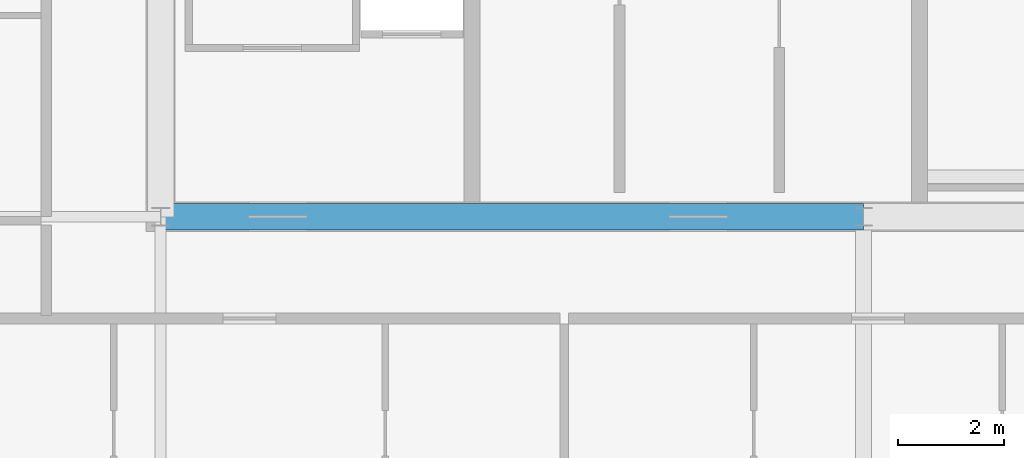
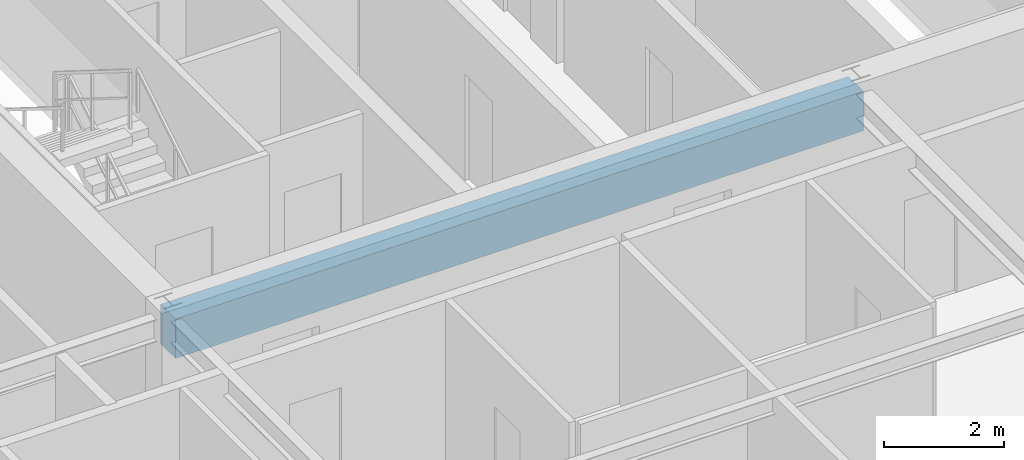
# One storey, part 9 of 37: 1 beam.
"""IFC4 building model written with IfcOpenShell, lengths in metres."""

from ifc_helpers import new_model, si_unit, direction, frame, origin, origin_2d, place, context, subcontext, project, spatial, rectangle, extrude, source, transform, mapped, material, material_profile, profile_set, type_object, element, save


model = new_model("IFC4")

# Units and contexts
model_context = context("Model", 3, precision=1e-05, world=origin(), true_north=direction((0.0, 1.0)))
body_context = subcontext(model_context, "Body", "Model", "MODEL_VIEW")
ifc_project = project(units=[si_unit("LENGTHUNIT", "METRE"), si_unit("AREAUNIT", "SQUARE_METRE"), si_unit("VOLUMEUNIT", "CUBIC_METRE"), si_unit("PLANEANGLEUNIT", "RADIAN"), si_unit("MASSUNIT", "GRAM", prefix="KILO"), si_unit("THERMODYNAMICTEMPERATUREUNIT", "KELVIN"), si_unit("POWERUNIT", "WATT")], contexts=[model_context])

# Site, building, storey
site_placement = place(None, origin())
site = spatial("IfcSite", under=ifc_project, at=site_placement, CompositionType="ELEMENT")
building_placement = place(site_placement, origin())
building = spatial("IfcBuilding", under=site, at=building_placement, Name="Yuzanri Waterfront Tower", CompositionType="ELEMENT")
storey_placement = place(building_placement, frame((0.0, 0.0, 275.10009765625)))
storey = spatial("IfcBuildingStorey", under=building, at=storey_placement, Name="L73", CompositionType="ELEMENT", Elevation=275.10009765625)

# Beam
ifc_material = material(Name="Concrete C50", Category="concrete")
ifc_material_profile = material_profile(ifc_material, rectangle(XDim=0.5, YDim=0.800048828125, at=origin_2d()), Name="RC 500x800")
ifc_profile_set = profile_set([ifc_material_profile], Name="Concrete C50")
beam_type = type_object("IfcBeamType", Name="Core Coupling Lintel Concrete C50 500x800", PredefinedType="LINTEL", material=ifc_profile_set)
shared_shape = source(origin(), body_context, "Body", "SweptSolid", [
    extrude(rectangle(XDim=0.5, YDim=0.800048828125, at=origin_2d()), origin(), (0.0, 0.0, 1.0), 13.199951171875),
])
beam_placement = place(storey_placement, frame((23.800048828125, 19.39990234375, 2.8798828125), z_axis=(1.0, 0.0, 0.0), x_axis=(0.0, 1.0, 0.0)))
element("IfcBeam", 1, at=beam_placement, inside=storey, type_object=beam_type, Name="L73 Core Tie Beam CS1", PredefinedType="LINTEL", context=body_context, shape_type="MappedRepresentation", body=[
    mapped(shared_shape, transform((0.0, 0.0, 0.0), scale=1.0)),
])

save(model, "model.ifc")
